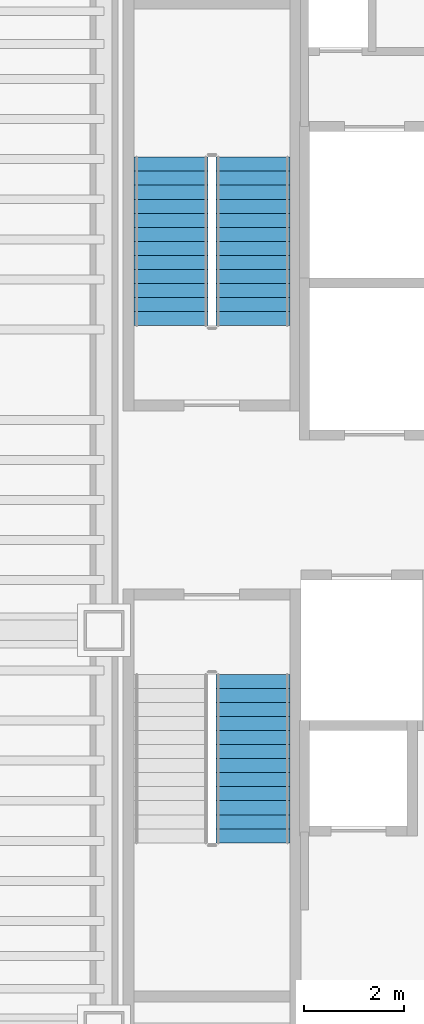
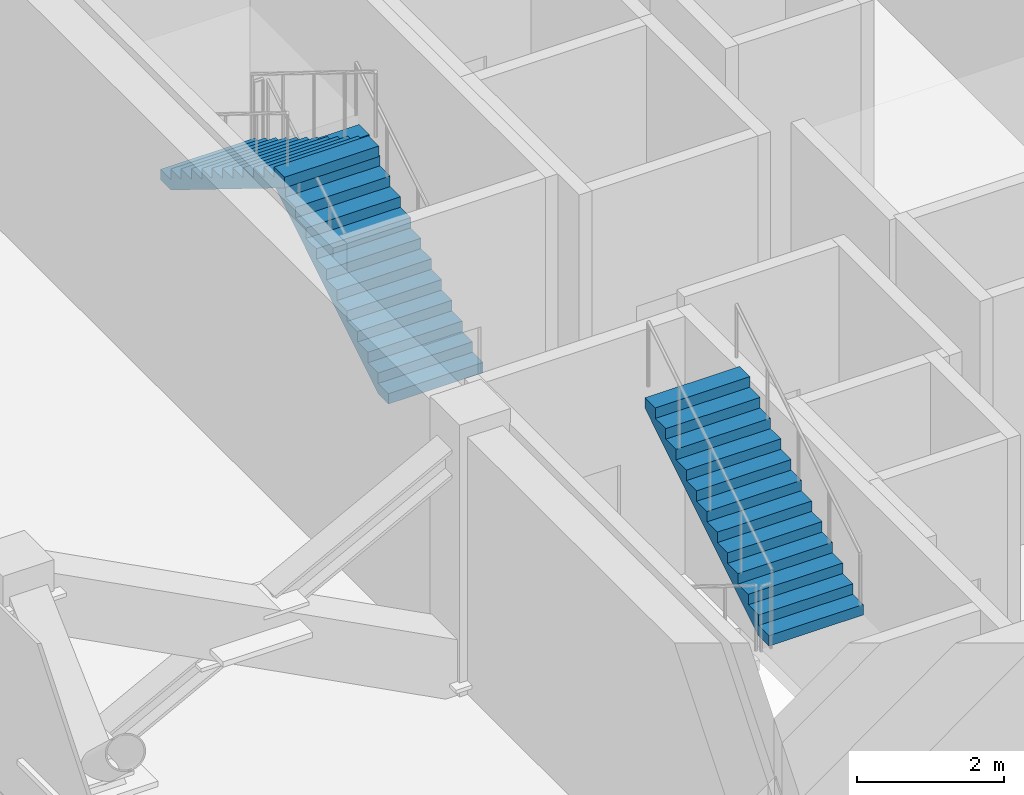
# One storey, part 18 of 19: 3 stair flights, 2 elements without a shape of their own.
"""IFC4 building model written with IfcOpenShell, lengths in metres."""

from ifc_helpers import new_model, si_unit, direction, frame, origin, place, context, subcontext, project, spatial, polyline, outline, extrude, material, type_object, element, aggregate, save


model = new_model("IFC4")

# Units and contexts
model_context = context("Model", 3, precision=1e-05, world=origin(), true_north=direction((0.0, 1.0)))
body_context = subcontext(model_context, "Body", "Model", "MODEL_VIEW")
ifc_project = project(units=[si_unit("LENGTHUNIT", "METRE"), si_unit("AREAUNIT", "SQUARE_METRE"), si_unit("VOLUMEUNIT", "CUBIC_METRE"), si_unit("PLANEANGLEUNIT", "RADIAN"), si_unit("MASSUNIT", "GRAM", prefix="KILO")], contexts=[model_context])

# Site, building, storey
site_placement = place(None, origin())
site = spatial("IfcSite", under=ifc_project, at=site_placement, CompositionType="ELEMENT")
building_placement = place(site_placement, origin())
building = spatial("IfcBuilding", under=site, at=building_placement, Name="Valdorenza Pilgrim Sanctuary Tower", CompositionType="ELEMENT")
storey_placement = place(building_placement, frame((0.0, 0.0, 261.5)))
storey = spatial("IfcBuildingStorey", under=building, at=storey_placement, Name="L68", CompositionType="ELEMENT", Elevation=261.5)

# Stair, stair flights
ifc_material = material(Name="Concrete C40/50", Category="concrete")
stair_type = type_object("IfcStairType", Name="STR-DOG-CORE", PredefinedType="HALF_TURN_STAIR", material=ifc_material)
stair_1_placement = place(storey_placement, origin())
stair_1 = element("IfcStair", 1, at=stair_1_placement, inside=storey, type_object=stair_type, Name="L68 ST-A1", PredefinedType="HALF_TURN_STAIR")
stair_flight_type = type_object("IfcStairFlightType", Name="STF-RC-1400", PredefinedType="STRAIGHT", material=ifc_material)
stair_flight_1_placement = place(storey_placement, frame((-19.679931640625, 3.47998046875, 0.0), z_axis=(0.0, 0.0, 1.0), x_axis=(0.0, 1.0, 0.0)))
stair_flight_1 = element("IfcStairFlight", 2, at=stair_flight_1_placement, type_object=stair_flight_type, Name="ST-A1 flight 1", NumberOfRisers=13, NumberOfTreads=12, PredefinedType="STRAIGHT", RiserHeight=0.173076923, TreadLength=0.28, context=body_context, shape_type="SweptSolid", body=[
    extrude(outline(polyline([(0.0, 0.0), (0.0, 0.173095703125), (0.280029296875, 0.173095703125), (0.280029296875, 0.34619140625), (0.56005859375, 0.34619140625), (0.56005859375, 0.519287109375), (0.840087890625, 0.519287109375), (0.840087890625, 0.6923828125), (1.1201171875, 0.6923828125), (1.1201171875, 0.865478515625), (1.39990234375, 0.865478515625), (1.39990234375, 1.03857421875), (1.679931640625, 1.03857421875), (1.679931640625, 1.21142578125), (1.9599609375, 1.21142578125), (1.9599609375, 1.384521484375), (2.239990234375, 1.384521484375), (2.239990234375, 1.5576171875), (2.52001953125, 1.5576171875), (2.52001953125, 1.730712890625), (2.800048828125, 1.730712890625), (2.800048828125, 1.90380859375), (3.080078125, 1.90380859375), (3.080078125, 2.076904296875), (3.360107421875, 2.076904296875), (3.360107421875, 2.25), (3.360107421875, 1.900634765625), (0.28515625, 0.0), (0.0, 0.0)])), frame((0.0, 0.739990234375, 0.0), z_axis=(0.0, -1.0, 0.0), x_axis=(1.0, 0.0, 0.0)), (0.0, 0.0, 1.0), 1.47998046875),
])
stair_flight_2_placement = place(storey_placement, frame((-21.31005859375, 6.840087890625, 2.25), z_axis=(0.0, 0.0, 1.0), x_axis=(0.0, -1.0, 0.0)))
stair_flight_2 = element("IfcStairFlight", 3, at=stair_flight_2_placement, type_object=stair_flight_type, Name="ST-A1 flight 2", NumberOfRisers=13, NumberOfTreads=12, PredefinedType="STRAIGHT", RiserHeight=0.173076923, TreadLength=0.28, context=body_context, shape_type="SweptSolid", body=[
    extrude(outline(polyline([(0.0, 0.0), (0.0, 0.173095703125), (0.280029296875, 0.173095703125), (0.280029296875, 0.34619140625), (0.56005859375, 0.34619140625), (0.56005859375, 0.519287109375), (0.840087890625, 0.519287109375), (0.840087890625, 0.6923828125), (1.1201171875, 0.6923828125), (1.1201171875, 0.865478515625), (1.39990234375, 0.865478515625), (1.39990234375, 1.03857421875), (1.679931640625, 1.03857421875), (1.679931640625, 1.21142578125), (1.9599609375, 1.21142578125), (1.9599609375, 1.384521484375), (2.239990234375, 1.384521484375), (2.239990234375, 1.5576171875), (2.52001953125, 1.5576171875), (2.52001953125, 1.730712890625), (2.800048828125, 1.730712890625), (2.800048828125, 1.90380859375), (3.080078125, 1.90380859375), (3.080078125, 2.076904296875), (3.360107421875, 2.076904296875), (3.360107421875, 2.25), (3.360107421875, 1.900634765625), (0.28515625, 0.0), (0.0, 0.0)])), frame((0.0, 0.739990234375, 0.0), z_axis=(0.0, -1.0, 0.0), x_axis=(1.0, 0.0, 0.0)), (0.0, 0.0, 1.0), 1.47998046875),
])
aggregate(stair_1, [stair_flight_1, stair_flight_2])

# Stair, stair flight
stair_2_placement = place(storey_placement, origin())
stair_2 = element("IfcStair", 4, at=stair_2_placement, inside=storey, type_object=stair_type, Name="L68 ST-A2", PredefinedType="HALF_TURN_STAIR")
stair_flight_3_placement = place(storey_placement, frame((-19.679931640625, -6.840087890625, 2.25), z_axis=(0.0, 0.0, 1.0), x_axis=(0.0, 1.0, 0.0)))
stair_flight_3 = element("IfcStairFlight", 5, at=stair_flight_3_placement, type_object=stair_flight_type, Name="ST-A2 flight 2", NumberOfRisers=13, NumberOfTreads=12, PredefinedType="STRAIGHT", RiserHeight=0.173076923, TreadLength=0.28, context=body_context, shape_type="SweptSolid", body=[
    extrude(outline(polyline([(0.0, 0.0), (0.0, 0.173095703125), (0.280029296875, 0.173095703125), (0.280029296875, 0.34619140625), (0.56005859375, 0.34619140625), (0.56005859375, 0.519287109375), (0.840087890625, 0.519287109375), (0.840087890625, 0.6923828125), (1.1201171875, 0.6923828125), (1.1201171875, 0.865478515625), (1.39990234375, 0.865478515625), (1.39990234375, 1.03857421875), (1.679931640625, 1.03857421875), (1.679931640625, 1.21142578125), (1.9599609375, 1.21142578125), (1.9599609375, 1.384521484375), (2.239990234375, 1.384521484375), (2.239990234375, 1.5576171875), (2.52001953125, 1.5576171875), (2.52001953125, 1.730712890625), (2.800048828125, 1.730712890625), (2.800048828125, 1.90380859375), (3.080078125, 1.90380859375), (3.080078125, 2.076904296875), (3.360107421875, 2.076904296875), (3.360107421875, 2.25), (3.360107421875, 1.900634765625), (0.28515625, 0.0), (0.0, 0.0)])), frame((0.0, 0.739990234375, 0.0), z_axis=(0.0, -1.0, 0.0), x_axis=(1.0, 0.0, 0.0)), (0.0, 0.0, 1.0), 1.47998046875),
])
aggregate(stair_2, [stair_flight_3])

save(model, "model.ifc")
